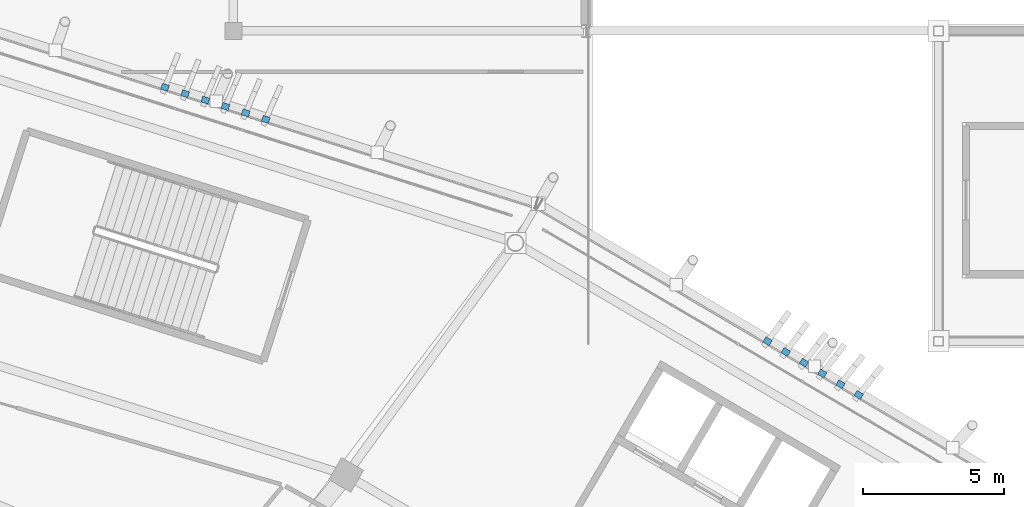
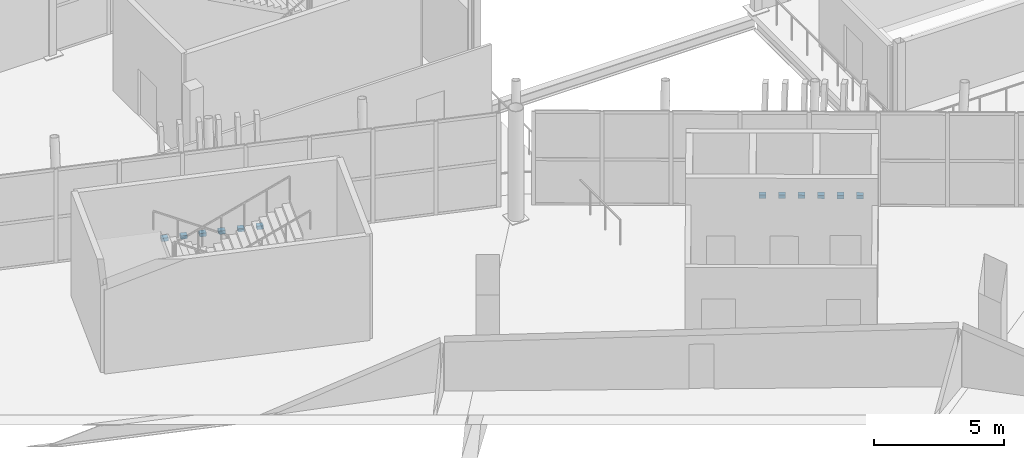
# One storey, part 143 of 178: 12 discrete accessories.
"""IFC4 building model written with IfcOpenShell, lengths in metres."""

from ifc_helpers import new_model, si_unit, direction, frame, origin, origin_2d, place, context, subcontext, project, spatial, rectangle, extrude, material, type_object, element, save


model = new_model("IFC4")

# Units and contexts
model_context = context("Model", 3, precision=1e-05, world=origin(), true_north=direction((0.0, 1.0)))
body_context = subcontext(model_context, "Body", "Model", "MODEL_VIEW")
ifc_project = project(units=[si_unit("LENGTHUNIT", "METRE"), si_unit("AREAUNIT", "SQUARE_METRE"), si_unit("VOLUMEUNIT", "CUBIC_METRE"), si_unit("PLANEANGLEUNIT", "RADIAN"), si_unit("MASSUNIT", "GRAM", prefix="KILO")], contexts=[model_context])

# Site, building, storey
site_placement = place(None, origin())
site = spatial("IfcSite", under=ifc_project, at=site_placement, CompositionType="ELEMENT")
building_placement = place(site_placement, origin())
building = spatial("IfcBuilding", under=site, at=building_placement, Name="Zlatoyarsky Gate Stadium", CompositionType="ELEMENT")
storey_placement = place(building_placement, frame((0.0, 0.0, 5.39990234375)))
storey = spatial("IfcBuildingStorey", under=building, at=storey_placement, Name="L01", CompositionType="ELEMENT", Elevation=5.39990234375)

# Discrete accessories
ifc_material = material(Name="Steel S355", Category="steel")
discrete_accessory_type = type_object("IfcDiscreteAccessoryType", Name="STEEL LOUVRE ANCHOR BRACKET 260X220X160", PredefinedType="BRACKET", material=ifc_material)
for number, where, z_axis, x_axis, name in (
    (1, (169.668701171875, 136.09716796875, -0.02001953125), (0.0, 0.0, 1.0), (-0.861742129764, 0.507346530282, 0.0), "Louvre anchor bracket L01-03-1"),
    (2, (169.0224609375, 136.477783203125, -0.02001953125), (0.0, 0.0, 1.0), (-0.861742129764, 0.507346530282, 0.0), "Louvre anchor bracket L01-03-2"),
    (3, (168.376220703125, 136.858154296875, -0.02001953125), (0.0, 0.0, 1.0), (-0.861742129764, 0.507346530282, 0.0), "Louvre anchor bracket L01-03-3"),
    (4, (167.729736328125, 137.23876953125, -0.02001953125), (0.0, 0.0, 1.0), (-0.861742129764, 0.507346530282, 0.0), "Louvre anchor bracket L01-03-4"),
    (5, (167.08349609375, 137.619140625, -0.02001953125), (0.0, 0.0, 1.0), (-0.861742129764, 0.507346530282, 0.0), "Louvre anchor bracket L01-03-5"),
    (6, (166.437255859375, 137.999755859375, -0.02001953125), (0.0, 0.0, 1.0), (-0.861742129764, 0.507346530282, 0.0), "Louvre anchor bracket L01-03-6"),
    (7, (148.652099609375, 145.866455078125, -0.02001953125), (0.0, 0.0, 1.0), (-0.95302679735, 0.302885990981, 0.0), "Louvre anchor bracket L01-04-1"),
    (8, (147.937255859375, 146.093505859375, -0.02001953125), (0.0, 0.0, 1.0), (-0.95302679735, 0.302885990981, 0.0), "Louvre anchor bracket L01-04-2"),
    (9, (147.222412109375, 146.32080078125, -0.02001953125), (0.0, 0.0, 1.0), (-0.95302679735, 0.302885990981, 0.0), "Louvre anchor bracket L01-04-3"),
    (10, (146.5078125, 146.5478515625, -0.02001953125), (0.0, 0.0, 1.0), (-0.95302679735, 0.302885990981, 0.0), "Louvre anchor bracket L01-04-4"),
    (11, (145.79296875, 146.775146484375, -0.02001953125), (0.0, 0.0, 1.0), (-0.95302679735, 0.302885990981, 0.0), "Louvre anchor bracket L01-04-5"),
    (12, (145.078125, 147.002197265625, -0.02001953125), (0.0, 0.0, 1.0), (-0.95302679735, 0.302885990981, 0.0), "Louvre anchor bracket L01-04-6"),
):
    element("IfcDiscreteAccessory", number, at=place(storey_placement, frame(where, z_axis=z_axis, x_axis=x_axis)), inside=storey, type_object=discrete_accessory_type, Name=name, PredefinedType="BRACKET", context=body_context, shape_type="SweptSolid", body=[
        extrude(rectangle(XDim=0.260009765625, YDim=0.219970703125, at=origin_2d()), origin(), (0.0, 0.0, 1.0), 0.159912109375),
    ])

save(model, "model.ifc")
